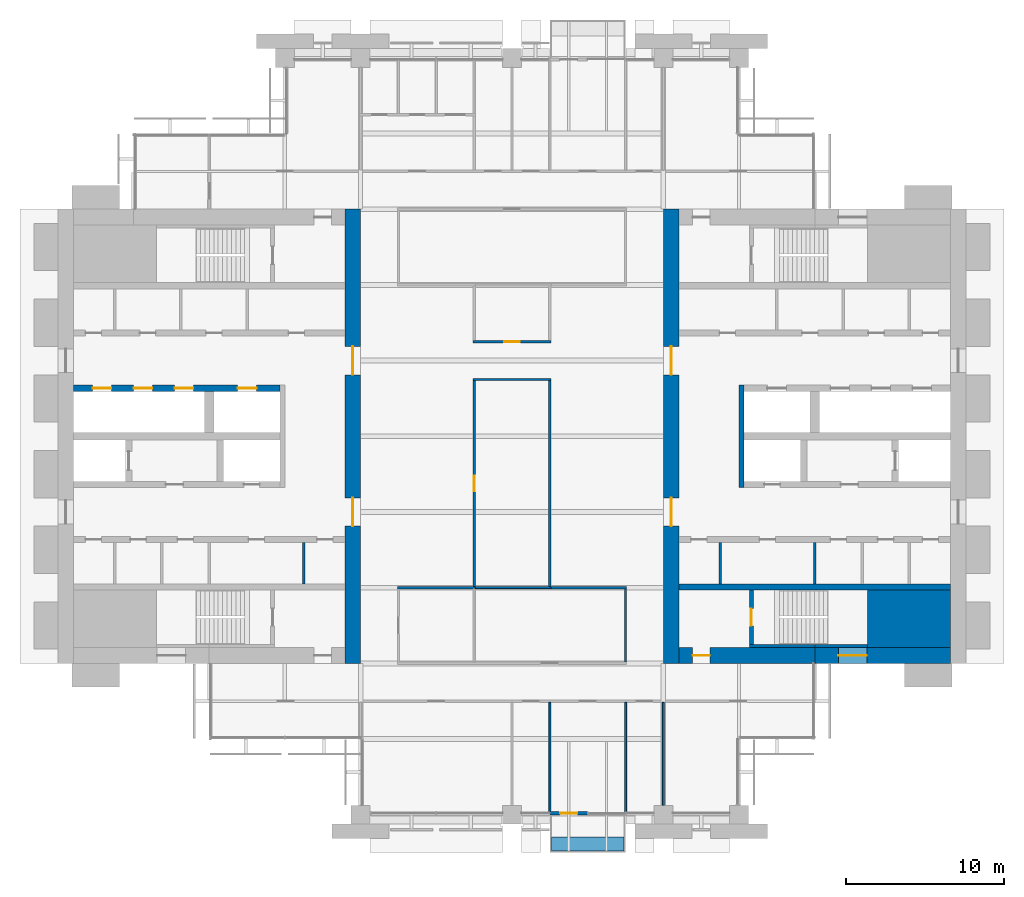
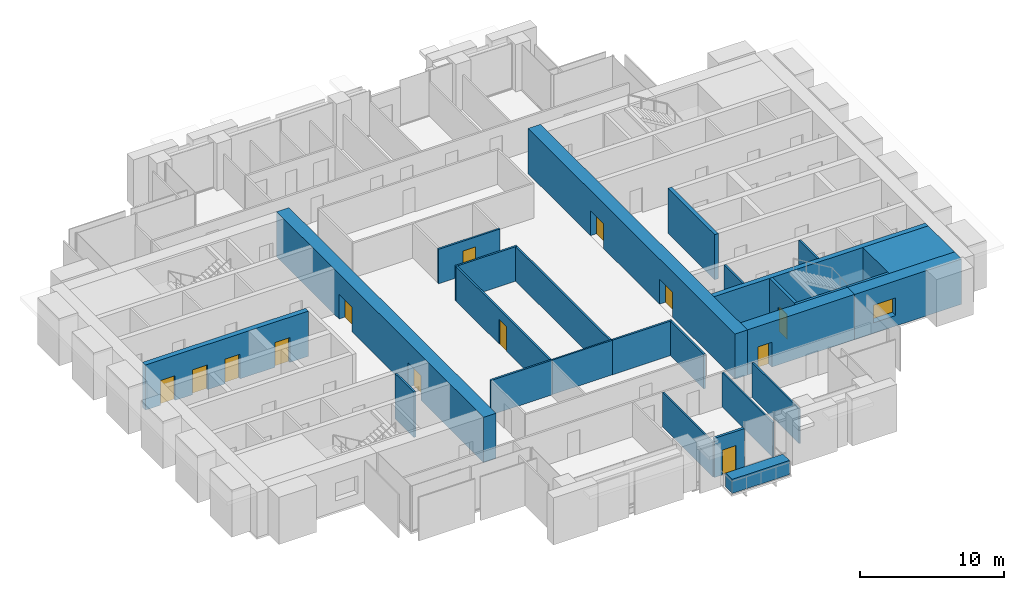
# One storey, part 10 of 15: 27 walls, 13 doors, 1 window, 14 openings.
"""IFC4 building model written with IfcOpenShell, lengths in metres."""

from ifc_helpers import new_model, si_unit, direction, frame, frame_2d, origin, place, context, subcontext, project, spatial, rectangle, extrude, material, layer, layer_set, type_object, element, fill, save


model = new_model("IFC4")

# Units and contexts
model_context = context("Model", 3, precision=1e-05, world=origin(), true_north=direction((0.0, 1.0)))
body_context = subcontext(model_context, "Body", "Model", "MODEL_VIEW")
ifc_project = project(units=[si_unit("LENGTHUNIT", "METRE"), si_unit("AREAUNIT", "SQUARE_METRE"), si_unit("VOLUMEUNIT", "CUBIC_METRE"), si_unit("PLANEANGLEUNIT", "RADIAN"), si_unit("MASSUNIT", "GRAM", prefix="KILO")], contexts=[model_context])

# Site, building, storey
site_placement = place(None, origin())
site = spatial("IfcSite", under=ifc_project, at=site_placement, CompositionType="ELEMENT")
building_placement = place(site_placement, origin())
building = spatial("IfcBuilding", under=site, at=building_placement, Name="Baori Bourse Tower", CompositionType="ELEMENT")
storey_placement = place(building_placement, frame((0.0, 0.0, 164.10009765625)))
storey = spatial("IfcBuildingStorey", under=building, at=storey_placement, Name="L36", CompositionType="ELEMENT", Elevation=164.10009765625)

# Walls
ifc_material_1 = material(Name="Concrete f'c 60 MPa", Category="concrete")
wall_type_1 = type_object("IfcWallType", Name="Core corner block f'c 60", PredefinedType="SHEAR", material=ifc_material_1)
wall_1_placement = place(storey_placement, frame((51.35009765625, 12.425048828125, 0.0), z_axis=(0.0, 0.0, 1.0), x_axis=(1.0, 0.0, 0.0)))
element("IfcWall", 1, at=wall_1_placement, inside=storey, type_object=wall_type_1, Name="Core wall E05", PredefinedType="SHEAR", context=body_context, shape_type="SweptSolid", body=[
    extrude(rectangle(XDim=5.25, YDim=3.64990234375, at=frame_2d((2.625, 0.0))), origin(), (0.0, 0.0, 1.0), 3.83984375),
])
ifc_material_2 = material(Name="Blockwork partition", Category="masonry")
ifc_layer_1 = layer(ifc_material_2, 0.14990234375)
ifc_layer_set_1 = layer_set([ifc_layer_1], Name="Core partition 150")
wall_type_2 = type_object("IfcWallType", Name="Core partition 150", PredefinedType="PARTITIONING", material=ifc_layer_set_1)
for number, where, z_axis, x_axis, name in (
    (2, (15.60009765625, 14.64990234375, 0.0), (0.0, 0.0, 1.0), (0.0, 1.0, 0.0), "Partition wall W13"),
    (3, (48.0, 14.64990234375, 0.0), (0.0, 0.0, 1.0), (0.0, 1.0, 0.0), "Partition wall E12"),
    (4, (42.0, 14.64990234375, 0.0), (0.0, 0.0, 1.0), (0.0, 1.0, 0.0), "Partition wall E13"),
):
    element("IfcWall", number, at=place(storey_placement, frame(where, z_axis=z_axis, x_axis=x_axis)), inside=storey, type_object=wall_type_2, Name=name, PredefinedType="PARTITIONING", context=body_context, shape_type="SweptSolid", body=[
        extrude(rectangle(XDim=2.60009765625, YDim=0.14990234375, at=frame_2d((1.300048828125, 0.0))), origin(), (0.0, 0.0, 1.0), 3.83984375),
    ])

# Wall, openings, doors
ifc_material_3 = material(Name="Concrete f'c 60 MPa", Category="concrete")
ifc_layer_2 = layer(ifc_material_3, 1.0)
ifc_layer_set_2 = layer_set([ifc_layer_2], Name="Core wall 1000 f'c 60")
wall_type_3 = type_object("IfcWallType", Name="Core wall 1000 f'c 60", PredefinedType="SHEAR", material=ifc_layer_set_2)
wall_2_placement = place(storey_placement, frame((18.699951171875, 38.39990234375, 0.0), z_axis=(0.0, 0.0, 1.0), x_axis=(0.0, -1.0, 0.0)))
wall_2 = element("IfcWall", 5, at=wall_2_placement, inside=storey, type_object=wall_type_3, Name="Core wall W04", PredefinedType="SHEAR", context=body_context, shape_type="SweptSolid", body=[
    extrude(rectangle(XDim=28.7998046875, YDim=1.0, at=frame_2d((14.39990234375, 0.0))), origin(), (0.0, 0.0, 1.0), 3.83984375),
])
opening_1_placement = place(wall_2_placement, frame((18.300048828125, 0.0, 0.0)))
opening_1 = element("IfcOpeningElement", 6, at=opening_1_placement, cuts=wall_2, Name="Opening L36-D107", PredefinedType="OPENING", context=body_context, shape_type="SweptSolid", body=[
    extrude(rectangle(XDim=1.800048828125, YDim=2.10009765625, at=frame_2d((0.89990234375, 1.050048828125))), frame((0.0, 0.510009765625, 0.0), z_axis=(0.0, -1.0, 0.0), x_axis=(1.0, 0.0, 0.0)), (0.0, 0.0, 1.0), 1.02001953125),
])
opening_2_placement = place(wall_2_placement, frame((8.699951171875, 0.0, 0.0)))
opening_2 = element("IfcOpeningElement", 7, at=opening_2_placement, cuts=wall_2, Name="Opening L36-D108", PredefinedType="OPENING", context=body_context, shape_type="SweptSolid", body=[
    extrude(rectangle(XDim=1.800048828125, YDim=2.10009765625, at=frame_2d((0.89990234375, 1.050048828125))), frame((0.0, 0.510009765625, 0.0), z_axis=(0.0, -1.0, 0.0), x_axis=(1.0, 0.0, 0.0)), (0.0, 0.0, 1.0), 1.02001953125),
])
ifc_material_4 = material(Name="Painted steel door", Category="steel")
door_type_1 = type_object("IfcDoorType", Name="Core lobby door 1800", OperationType="DOUBLE_DOOR_SINGLE_SWING", PredefinedType="DOOR", material=ifc_material_4)
door_1_placement = place(opening_1_placement, origin())
door_1 = element("IfcDoor", 8, at=door_1_placement, inside=storey, type_object=door_type_1, Name="Lobby door W L36", OperationType="DOUBLE_DOOR_SINGLE_SWING", OverallHeight=2.10009765625, OverallWidth=1.800048828125, PredefinedType="DOOR", context=body_context, shape_type="SweptSolid", body=[
    extrude(rectangle(XDim=1.800048828125, YDim=2.10009765625, at=frame_2d((0.89990234375, 1.050048828125))), frame((0.0, 0.02490234375, 0.0), z_axis=(0.0, -1.0, 0.0), x_axis=(1.0, 0.0, 0.0)), (0.0, 0.0, 1.0), 0.050048828125),
])
fill(opening_1, door_1)
door_2_placement = place(opening_2_placement, origin())
door_2 = element("IfcDoor", 9, at=door_2_placement, inside=storey, type_object=door_type_1, Name="Lobby door W L36", OperationType="DOUBLE_DOOR_SINGLE_SWING", OverallHeight=2.10009765625, OverallWidth=1.800048828125, PredefinedType="DOOR", context=body_context, shape_type="SweptSolid", body=[
    extrude(rectangle(XDim=1.800048828125, YDim=2.10009765625, at=frame_2d((0.89990234375, 1.050048828125))), frame((0.0, 0.02490234375, 0.0), z_axis=(0.0, -1.0, 0.0), x_axis=(1.0, 0.0, 0.0)), (0.0, 0.0, 1.0), 0.050048828125),
])
fill(opening_2, door_2)

# Wall, opening, window
wall_3_placement = place(storey_placement, frame((56.60009765625, 10.10009765625, 0.0), z_axis=(0.0, 0.0, 1.0), x_axis=(-1.0, 0.0, 0.0)))
wall_3 = element("IfcWall", 10, at=wall_3_placement, inside=storey, type_object=wall_type_3, Name="Core wall E02", PredefinedType="SHEAR", context=body_context, shape_type="SweptSolid", body=[
    extrude(rectangle(XDim=8.60009765625, YDim=1.0, at=frame_2d((4.300048828125, 0.0))), origin(), (0.0, 0.0, 1.0), 3.83984375),
])
opening_3_placement = place(wall_3_placement, frame((5.300048828125, 0.0, 0.89990234375)))
opening_3 = element("IfcOpeningElement", 11, at=opening_3_placement, cuts=wall_3, Name="Opening L36-KW203", PredefinedType="OPENING", context=body_context, shape_type="SweptSolid", body=[
    extrude(rectangle(XDim=1.800048828125, YDim=1.5, at=frame_2d((0.89990234375, 0.75))), frame((0.0, 0.510009765625, 0.0), z_axis=(0.0, -1.0, 0.0), x_axis=(1.0, 0.0, 0.0)), (0.0, 0.0, 1.0), 1.02001953125),
])
ifc_material_5 = material(Name="Pale anodised aluminium", Category="aluminium")
window_type = type_object("IfcWindowType", Name="Stair window 1800 x 1500", PartitioningType="SINGLE_PANEL", PredefinedType="WINDOW", material=ifc_material_5)
window_placement = place(opening_3_placement, origin())
window = element("IfcWindow", 12, at=window_placement, inside=storey, type_object=window_type, Name="Stair window E L36 3", OverallHeight=1.5, OverallWidth=1.800048828125, PartitioningType="SINGLE_PANEL", PredefinedType="WINDOW", context=body_context, shape_type="SweptSolid", body=[
    extrude(rectangle(XDim=1.800048828125, YDim=1.5, at=frame_2d((0.89990234375, 0.75))), frame((0.0, 0.030029296875, 0.0), z_axis=(0.0, -1.0, 0.0), x_axis=(1.0, 0.0, 0.0)), (0.0, 0.0, 1.0), 0.06005859375),
])
fill(opening_3, window)

# Wall, opening, door
wall_4_placement = place(storey_placement, frame((48.0, 10.10009765625, 0.0), z_axis=(0.0, 0.0, 1.0), x_axis=(-1.0, 0.0, 0.0)))
wall_4 = element("IfcWall", 13, at=wall_4_placement, inside=storey, type_object=wall_type_3, Name="Core wall E03", PredefinedType="SHEAR", context=body_context, shape_type="SweptSolid", body=[
    extrude(rectangle(XDim=8.60009765625, YDim=1.0, at=frame_2d((4.300048828125, 0.0))), origin(), (0.0, 0.0, 1.0), 3.83984375),
])
opening_4_placement = place(wall_4_placement, frame((6.64990234375, 0.0, 0.0)))
opening_4 = element("IfcOpeningElement", 14, at=opening_4_placement, cuts=wall_4, Name="Opening L36-D202", PredefinedType="OPENING", context=body_context, shape_type="SweptSolid", body=[
    extrude(rectangle(XDim=1.10009765625, YDim=2.10009765625, at=frame_2d((0.550048828125, 1.050048828125))), frame((0.0, 0.510009765625, 0.0), z_axis=(0.0, -1.0, 0.0), x_axis=(1.0, 0.0, 0.0)), (0.0, 0.0, 1.0), 1.02001953125),
])
ifc_material_6 = material(Name="Painted steel door", Category="steel")
door_type_2 = type_object("IfcDoorType", Name="Stair door 1100", OperationType="SINGLE_SWING_LEFT", PredefinedType="DOOR", material=ifc_material_6)
door_3_placement = place(opening_4_placement, origin())
door_3 = element("IfcDoor", 15, at=door_3_placement, inside=storey, type_object=door_type_2, Name="Stair vestibule door A E L36", OperationType="SINGLE_SWING_LEFT", OverallHeight=2.10009765625, OverallWidth=1.10009765625, PredefinedType="DOOR", context=body_context, shape_type="SweptSolid", body=[
    extrude(rectangle(XDim=1.10009765625, YDim=2.10009765625, at=frame_2d((0.550048828125, 1.050048828125))), frame((0.0, 0.02490234375, 0.0), z_axis=(0.0, -1.0, 0.0), x_axis=(1.0, 0.0, 0.0)), (0.0, 0.0, 1.0), 0.050048828125),
])
fill(opening_4, door_3)

# Wall, openings, doors
wall_5_placement = place(storey_placement, frame((38.89990234375, 9.60009765625, 0.0), z_axis=(0.0, 0.0, 1.0), x_axis=(0.0, 1.0, 0.0)))
wall_5 = element("IfcWall", 16, at=wall_5_placement, inside=storey, type_object=wall_type_3, Name="Core wall E04", PredefinedType="SHEAR", context=body_context, shape_type="SweptSolid", body=[
    extrude(rectangle(XDim=28.7998046875, YDim=1.0, at=frame_2d((14.39990234375, 0.0))), origin(), (0.0, 0.0, 1.0), 3.83984375),
])
opening_5_placement = place(wall_5_placement, frame((8.699951171875, 0.0, 0.0)))
opening_5 = element("IfcOpeningElement", 17, at=opening_5_placement, cuts=wall_5, Name="Opening L36-D207", PredefinedType="OPENING", context=body_context, shape_type="SweptSolid", body=[
    extrude(rectangle(XDim=1.800048828125, YDim=2.10009765625, at=frame_2d((0.89990234375, 1.050048828125))), frame((0.0, 0.510009765625, 0.0), z_axis=(0.0, -1.0, 0.0), x_axis=(1.0, 0.0, 0.0)), (0.0, 0.0, 1.0), 1.02001953125),
])
opening_6_placement = place(wall_5_placement, frame((18.300048828125, 0.0, 0.0)))
opening_6 = element("IfcOpeningElement", 18, at=opening_6_placement, cuts=wall_5, Name="Opening L36-D208", PredefinedType="OPENING", context=body_context, shape_type="SweptSolid", body=[
    extrude(rectangle(XDim=1.800048828125, YDim=2.10009765625, at=frame_2d((0.89990234375, 1.050048828125))), frame((0.0, 0.510009765625, 0.0), z_axis=(0.0, -1.0, 0.0), x_axis=(1.0, 0.0, 0.0)), (0.0, 0.0, 1.0), 1.02001953125),
])
door_4_placement = place(opening_5_placement, origin())
door_4 = element("IfcDoor", 19, at=door_4_placement, inside=storey, type_object=door_type_1, Name="Lobby door E L36", OperationType="DOUBLE_DOOR_SINGLE_SWING", OverallHeight=2.10009765625, OverallWidth=1.800048828125, PredefinedType="DOOR", context=body_context, shape_type="SweptSolid", body=[
    extrude(rectangle(XDim=1.800048828125, YDim=2.10009765625, at=frame_2d((0.89990234375, 1.050048828125))), frame((0.0, 0.02490234375, 0.0), z_axis=(0.0, -1.0, 0.0), x_axis=(1.0, 0.0, 0.0)), (0.0, 0.0, 1.0), 0.050048828125),
])
fill(opening_5, door_4)
door_5_placement = place(opening_6_placement, origin())
door_5 = element("IfcDoor", 20, at=door_5_placement, inside=storey, type_object=door_type_1, Name="Lobby door E L36", OperationType="DOUBLE_DOOR_SINGLE_SWING", OverallHeight=2.10009765625, OverallWidth=1.800048828125, PredefinedType="DOOR", context=body_context, shape_type="SweptSolid", body=[
    extrude(rectangle(XDim=1.800048828125, YDim=2.10009765625, at=frame_2d((0.89990234375, 1.050048828125))), frame((0.0, 0.02490234375, 0.0), z_axis=(0.0, -1.0, 0.0), x_axis=(1.0, 0.0, 0.0)), (0.0, 0.0, 1.0), 0.050048828125),
])
fill(opening_6, door_5)

# Walls
ifc_material_7 = material(Name="Gypsum board partition")
ifc_layer_3 = layer(ifc_material_7, 0.14990234375)
ifc_layer_set_3 = layer_set([ifc_layer_3], Name="Corridor partition 150")
wall_type_4 = type_object("IfcWallType", Name="Corridor partition 150", PredefinedType="PARTITIONING", material=ifc_layer_set_3)
wall_6_placement = place(storey_placement, frame((21.52490234375, 14.39990234375, 0.0), z_axis=(0.0, 0.0, 1.0), x_axis=(1.0, 0.0, 0.0)))
element("IfcWall", 21, at=wall_6_placement, inside=storey, type_object=wall_type_4, Name="Partition", PredefinedType="PARTITIONING", context=body_context, shape_type="SweptSolid", body=[
    extrude(rectangle(XDim=4.9501953125, YDim=0.14990234375, at=frame_2d((2.47509765625, 0.0))), origin(), (0.0, 0.0, 1.0), 2.935546875),
])
wall_7_placement = place(storey_placement, frame((31.27490234375, 14.39990234375, 0.0), z_axis=(0.0, 0.0, 1.0), x_axis=(1.0, 0.0, 0.0)))
element("IfcWall", 22, at=wall_7_placement, inside=storey, type_object=wall_type_4, Name="Partition", PredefinedType="PARTITIONING", context=body_context, shape_type="SweptSolid", body=[
    extrude(rectangle(XDim=4.800048828125, YDim=0.14990234375, at=frame_2d((2.39990234375, 0.0))), origin(), (0.0, 0.0, 1.0), 2.935546875),
])
wall_8_placement = place(storey_placement, frame((26.324951171875, 27.60009765625, 0.0), z_axis=(0.0, 0.0, 1.0), x_axis=(1.0, 0.0, 0.0)))
element("IfcWall", 23, at=wall_8_placement, inside=storey, type_object=wall_type_4, Name="Partition", PredefinedType="PARTITIONING", context=body_context, shape_type="SweptSolid", body=[
    extrude(rectangle(XDim=4.949951171875, YDim=0.14990234375, at=frame_2d((2.47509765625, 0.0))), origin(), (0.0, 0.0, 1.0), 2.935546875),
])

# Wall, opening, door
wall_9_placement = place(storey_placement, frame((26.324951171875, 30.0, 0.0), z_axis=(0.0, 0.0, 1.0), x_axis=(1.0, 0.0, 0.0)))
wall_9 = element("IfcWall", 24, at=wall_9_placement, inside=storey, type_object=wall_type_4, Name="Partition", PredefinedType="PARTITIONING", context=body_context, shape_type="SweptSolid", body=[
    extrude(rectangle(XDim=4.949951171875, YDim=0.14990234375, at=frame_2d((2.47509765625, 0.0))), origin(), (0.0, 0.0, 1.0), 2.935546875),
])
opening_7_placement = place(wall_9_placement, frame((1.97509765625, 0.0, 0.0)))
opening_7 = element("IfcOpeningElement", 25, at=opening_7_placement, cuts=wall_9, Name="Opening L36-D08", PredefinedType="OPENING", context=body_context, shape_type="SweptSolid", body=[
    extrude(rectangle(XDim=1.0, YDim=2.10009765625, at=frame_2d((0.5, 1.050048828125))), frame((0.0, 0.0849609375, 0.0), z_axis=(0.0, -1.0, 0.0), x_axis=(1.0, 0.0, 0.0)), (0.0, 0.0, 1.0), 0.169921875),
])
ifc_material_8 = material(Name="Timber door leaf", Category="wood")
door_type_3 = type_object("IfcDoorType", Name="Door 1000 x 2100", OperationType="SINGLE_SWING_LEFT", PredefinedType="DOOR", material=ifc_material_8)
door_6_placement = place(opening_7_placement, origin())
door_6 = element("IfcDoor", 26, at=door_6_placement, inside=storey, type_object=door_type_3, Name="Door", OperationType="SINGLE_SWING_LEFT", OverallHeight=2.10009765625, OverallWidth=1.0, PredefinedType="DOOR", context=body_context, shape_type="SweptSolid", body=[
    extrude(rectangle(XDim=1.0, YDim=2.10009765625, at=frame_2d((0.5, 1.050048828125))), frame((0.0, 0.02490234375, 0.0), z_axis=(0.0, -1.0, 0.0), x_axis=(1.0, 0.0, 0.0)), (0.0, 0.0, 1.0), 0.050048828125),
])
fill(opening_7, door_6)

wall_10_placement = place(storey_placement, frame((26.39990234375, 14.47509765625, 0.0), z_axis=(0.0, 0.0, 1.0), x_axis=(0.0, 1.0, 0.0)))
wall_10 = element("IfcWall", 27, at=wall_10_placement, inside=storey, type_object=wall_type_4, Name="Partition", PredefinedType="PARTITIONING", context=body_context, shape_type="SweptSolid", body=[
    extrude(rectangle(XDim=13.0498046875, YDim=0.14990234375, at=frame_2d((6.52490234375, 0.0))), origin(), (0.0, 0.0, 1.0), 2.935546875),
])
opening_8_placement = place(wall_10_placement, frame((6.02490234375, 0.0, 0.0)))
opening_8 = element("IfcOpeningElement", 28, at=opening_8_placement, cuts=wall_10, Name="Opening L36-D22", PredefinedType="OPENING", context=body_context, shape_type="SweptSolid", body=[
    extrude(rectangle(XDim=1.0, YDim=2.10009765625, at=frame_2d((0.5, 1.050048828125))), frame((0.0, 0.0849609375, 0.0), z_axis=(0.0, -1.0, 0.0), x_axis=(1.0, 0.0, 0.0)), (0.0, 0.0, 1.0), 0.169921875),
])
door_7_placement = place(opening_8_placement, origin())
door_7 = element("IfcDoor", 29, at=door_7_placement, inside=storey, type_object=door_type_3, Name="Door", OperationType="SINGLE_SWING_RIGHT", OverallHeight=2.10009765625, OverallWidth=1.0, PredefinedType="DOOR", context=body_context, shape_type="SweptSolid", body=[
    extrude(rectangle(XDim=1.0, YDim=2.10009765625, at=frame_2d((0.5, 1.050048828125))), frame((0.0, 0.02490234375, 0.0), z_axis=(0.0, -1.0, 0.0), x_axis=(1.0, 0.0, 0.0)), (0.0, 0.0, 1.0), 0.050048828125),
])
fill(opening_8, door_7)

# Walls
wall_11_placement = place(storey_placement, frame((31.199951171875, 14.47509765625, 0.0), z_axis=(0.0, 0.0, 1.0), x_axis=(0.0, 1.0, 0.0)))
element("IfcWall", 30, at=wall_11_placement, inside=storey, type_object=wall_type_4, Name="Partition", PredefinedType="PARTITIONING", context=body_context, shape_type="SweptSolid", body=[
    extrude(rectangle(XDim=13.0498046875, YDim=0.14990234375, at=frame_2d((6.52490234375, 0.0))), origin(), (0.0, 0.0, 1.0), 2.935546875),
])
wall_12_placement = place(storey_placement, frame((36.0, 9.675048828125, 0.0), z_axis=(0.0, 0.0, 1.0), x_axis=(0.0, 1.0, 0.0)))
element("IfcWall", 31, at=wall_12_placement, inside=storey, type_object=wall_type_4, Name="Partition", PredefinedType="PARTITIONING", context=body_context, shape_type="SweptSolid", body=[
    extrude(rectangle(XDim=4.64990234375, YDim=0.14990234375, at=frame_2d((2.324951171875, 0.0))), origin(), (0.0, 0.0, 1.0), 2.935546875),
])

# Wall, opening, door
ifc_material_9 = material(Name="Pale anodised aluminium", Category="aluminium")
ifc_layer_4 = layer(ifc_material_9, 0.199951171875)
ifc_layer_set_4 = layer_set([ifc_layer_4], Name="EW1 External wall bay")
wall_type_5 = type_object("IfcWallType", Name="EW1 External wall bay", PredefinedType="SOLIDWALL", material=ifc_layer_set_4)
wall_13_placement = place(storey_placement, frame((31.199951171875, 0.10009765625, 0.0), z_axis=(0.0, 0.0, 1.0), x_axis=(1.0, 0.0, 0.0)))
wall_13 = element("IfcWall", 32, at=wall_13_placement, inside=storey, type_object=wall_type_5, Name="External wall bay L36 2", PredefinedType="SOLIDWALL", context=body_context, shape_type="SweptSolid", body=[
    extrude(rectangle(XDim=2.400146484375, YDim=0.199951171875, at=frame_2d((1.2001953125, 0.0))), origin(), (0.0, 0.0, 1.0), 3.314208984375),
])
opening_9_placement = place(wall_13_placement, frame((0.64990234375, 0.0, 0.0)))
opening_9 = element("IfcOpeningElement", 33, at=opening_9_placement, cuts=wall_13, Name="Opening L36-D92", PredefinedType="OPENING", context=body_context, shape_type="SweptSolid", body=[
    extrude(rectangle(XDim=1.10009765625, YDim=2.10009765625, at=frame_2d((0.550048828125, 1.050048828125))), frame((0.0, 0.10986328125, 0.0), z_axis=(0.0, -1.0, 0.0), x_axis=(1.0, 0.0, 0.0)), (0.0, 0.0, 1.0), 0.219970703125),
])
ifc_material_10 = material(Name="Pale anodised aluminium", Category="aluminium")
door_type_4 = type_object("IfcDoorType", Name="BL1 Balcony door", OperationType="SINGLE_SWING_LEFT", PredefinedType="DOOR", material=ifc_material_10)
door_8_placement = place(opening_9_placement, origin())
door_8 = element("IfcDoor", 34, at=door_8_placement, inside=storey, type_object=door_type_4, Name="Balcony door L36 2", OperationType="SINGLE_SWING_LEFT", OverallHeight=2.10009765625, OverallWidth=1.10009765625, PredefinedType="DOOR", context=body_context, shape_type="SweptSolid", body=[
    extrude(rectangle(XDim=1.10009765625, YDim=2.10009765625, at=frame_2d((0.550048828125, 1.050048828125))), frame((0.0, 0.02490234375, 0.0), z_axis=(0.0, -1.0, 0.0), x_axis=(1.0, 0.0, 0.0)), (0.0, 0.0, 1.0), 0.050048828125),
])
fill(opening_9, door_8)

# Walls
ifc_material_11 = material(Name="Concrete f'c 40 MPa", Category="concrete")
ifc_layer_5 = layer(ifc_material_11, 0.89990234375)
ifc_layer_set_5 = layer_set([ifc_layer_5], Name="PW1 Planter wall")
wall_type_6 = type_object("IfcWallType", Name="PW1 Planter wall", PredefinedType="USERDEFINED", material=ifc_layer_set_5)
wall_14_placement = place(storey_placement, frame((31.300048828125, -1.85009765625, 0.0), z_axis=(0.0, 0.0, 1.0), x_axis=(1.0, 0.0, 0.0)))
element("IfcWall", 35, at=wall_14_placement, inside=storey, type_object=wall_type_6, Name="Planter balcony S L36 1", ObjectType="PLANTER", PredefinedType="USERDEFINED", context=body_context, shape_type="SweptSolid", body=[
    extrude(rectangle(XDim=4.599853515625, YDim=0.89990234375, at=frame_2d((2.2998046875, 0.0))), origin(), (0.0, 0.0, 1.0), 1.199951171875),
])
ifc_material_12 = material(Name="Gypsum board partition")
ifc_layer_6 = layer(ifc_material_12, 0.125)
ifc_layer_set_6 = layer_set([ifc_layer_6], Name="Partition 125")
wall_type_7 = type_object("IfcWallType", Name="Partition 125", PredefinedType="PARTITIONING", material=ifc_layer_set_6)
wall_15_placement = place(storey_placement, frame((26.47509765625, 14.39990234375, 0.0), z_axis=(0.0, 0.0, 1.0), x_axis=(1.0, 0.0, 0.0)))
element("IfcWall", 36, at=wall_15_placement, inside=storey, type_object=wall_type_7, Name="Partition", PredefinedType="PARTITIONING", context=body_context, shape_type="SweptSolid", body=[
    extrude(rectangle(XDim=4.7998046875, YDim=0.125, at=frame_2d((2.39990234375, 0.0))), origin(), (0.0, 0.0, 1.0), 2.935546875),
])
for number, where, z_axis, x_axis, name in (
    (37, (31.199951171875, 0.10009765625, 0.0), (0.0, 0.0, 1.0), (0.0, 1.0, 0.0), "Partition"),
    (38, (36.0, 0.10009765625, 0.0), (0.0, 0.0, 1.0), (0.0, 1.0, 0.0), "Partition"),
):
    element("IfcWall", number, at=place(storey_placement, frame(where, z_axis=z_axis, x_axis=x_axis)), inside=storey, type_object=wall_type_7, Name=name, PredefinedType="PARTITIONING", context=body_context, shape_type="SweptSolid", body=[
        extrude(rectangle(XDim=7.02490234375, YDim=0.125, at=frame_2d((3.512451171875, 0.0))), origin(), (0.0, 0.0, 1.0), 2.935546875),
    ])
wall_16_placement = place(storey_placement, frame((38.39990234375, 0.60009765625, 0.0), z_axis=(0.0, 0.0, 1.0), x_axis=(0.0, 1.0, 0.0)))
element("IfcWall", 39, at=wall_16_placement, inside=storey, type_object=wall_type_7, Name="Partition", PredefinedType="PARTITIONING", context=body_context, shape_type="SweptSolid", body=[
    extrude(rectangle(XDim=6.52490234375, YDim=0.125, at=frame_2d((3.262451171875, 0.0))), origin(), (0.0, 0.0, 1.0), 2.935546875),
])
ifc_material_13 = material(Name="Concrete f'c 60 MPa", Category="concrete")
ifc_layer_7 = layer(ifc_material_13, 0.199951171875)
ifc_layer_set_7 = layer_set([ifc_layer_7], Name="Shaft wall 200 f'c 60")
wall_type_8 = type_object("IfcWallType", Name="Shaft wall 200 f'c 60", PredefinedType="SHEAR", material=ifc_layer_set_7)
wall_17_placement = place(storey_placement, frame((48.0, 10.699951171875, 0.0), z_axis=(0.0, 0.0, 1.0), x_axis=(1.0, 0.0, 0.0)))
element("IfcWall", 40, at=wall_17_placement, inside=storey, type_object=wall_type_8, Name="Core wall E06", PredefinedType="SHEAR", context=body_context, shape_type="SweptSolid", body=[
    extrude(rectangle(XDim=3.35009765625, YDim=0.199951171875, at=frame_2d((1.675048828125, 0.0))), origin(), (0.0, 0.0, 1.0), 3.83984375),
])
wall_18_placement = place(storey_placement, frame((43.85009765625, 10.699951171875, 0.0), z_axis=(0.0, 0.0, 1.0), x_axis=(1.0, 0.0, 0.0)))
element("IfcWall", 41, at=wall_18_placement, inside=storey, type_object=wall_type_8, Name="Core wall E07", PredefinedType="SHEAR", context=body_context, shape_type="SweptSolid", body=[
    extrude(rectangle(XDim=4.14990234375, YDim=0.199951171875, at=frame_2d((2.074951171875, 0.0))), origin(), (0.0, 0.0, 1.0), 3.83984375),
])

# Wall, opening, door
ifc_material_14 = material(Name="Concrete f'c 60 MPa", Category="concrete")
ifc_layer_8 = layer(ifc_material_14, 0.25)
ifc_layer_set_8 = layer_set([ifc_layer_8], Name="Shaft wall 250 f'c 60")
wall_type_9 = type_object("IfcWallType", Name="Shaft wall 250 f'c 60", PredefinedType="SHEAR", material=ifc_layer_set_8)
wall_19_placement = place(storey_placement, frame((43.97509765625, 10.800048828125, 0.0), z_axis=(0.0, 0.0, 1.0), x_axis=(0.0, 1.0, 0.0)))
wall_19 = element("IfcWall", 42, at=wall_19_placement, inside=storey, type_object=wall_type_9, Name="Core wall E08", PredefinedType="SHEAR", context=body_context, shape_type="SweptSolid", body=[
    extrude(rectangle(XDim=3.449951171875, YDim=0.25, at=frame_2d((1.72509765625, 0.0))), origin(), (0.0, 0.0, 1.0), 3.83984375),
])
opening_10_placement = place(wall_19_placement, frame((1.175048828125, 0.0, 0.0)))
opening_10 = element("IfcOpeningElement", 43, at=opening_10_placement, cuts=wall_19, Name="Opening L36-D201", PredefinedType="OPENING", context=body_context, shape_type="SweptSolid", body=[
    extrude(rectangle(XDim=1.10009765625, YDim=2.10009765625, at=frame_2d((0.550048828125, 1.050048828125))), frame((0.0, 0.135009765625, 0.0), z_axis=(0.0, -1.0, 0.0), x_axis=(1.0, 0.0, 0.0)), (0.0, 0.0, 1.0), 0.27001953125),
])
door_9_placement = place(opening_10_placement, origin())
door_9 = element("IfcDoor", 44, at=door_9_placement, inside=storey, type_object=door_type_2, Name="Stair door A E L36", OperationType="SINGLE_SWING_LEFT", OverallHeight=2.10009765625, OverallWidth=1.10009765625, PredefinedType="DOOR", context=body_context, shape_type="SweptSolid", body=[
    extrude(rectangle(XDim=1.10009765625, YDim=2.10009765625, at=frame_2d((0.550048828125, 1.050048828125))), frame((0.0, 0.02490234375, 0.0), z_axis=(0.0, -1.0, 0.0), x_axis=(1.0, 0.0, 0.0)), (0.0, 0.0, 1.0), 0.050048828125),
])
fill(opening_10, door_9)

# Wall
ifc_material_15 = material(Name="Concrete f'c 60 MPa", Category="concrete")
ifc_layer_9 = layer(ifc_material_15, 0.300048828125)
ifc_layer_set_9 = layer_set([ifc_layer_9], Name="Shaft wall 300 f'c 60")
wall_type_10 = type_object("IfcWallType", Name="Shaft wall 300 f'c 60", PredefinedType="SHEAR", material=ifc_layer_set_9)
wall_20_placement = place(storey_placement, frame((43.35009765625, 20.75, 0.0), z_axis=(0.0, 0.0, 1.0), x_axis=(0.0, 1.0, 0.0)))
element("IfcWall", 45, at=wall_20_placement, inside=storey, type_object=wall_type_10, Name="Core wall E16", PredefinedType="SHEAR", context=body_context, shape_type="SweptSolid", body=[
    extrude(rectangle(XDim=6.5, YDim=0.300048828125, at=frame_2d((3.25, 0.0))), origin(), (0.0, 0.0, 1.0), 3.83984375),
])

# Wall, openings, doors
ifc_material_16 = material(Name="Concrete f'c 60 MPa", Category="concrete")
ifc_layer_10 = layer(ifc_material_16, 0.39990234375)
ifc_layer_set_10 = layer_set([ifc_layer_10], Name="Shaft wall 400 f'c 60")
wall_type_11 = type_object("IfcWallType", Name="Shaft wall 400 f'c 60", PredefinedType="SHEAR", material=ifc_layer_set_10)
wall_21_placement = place(storey_placement, frame((1.0, 27.050048828125, 0.0), z_axis=(0.0, 0.0, 1.0), x_axis=(1.0, 0.0, 0.0)))
wall_21 = element("IfcWall", 46, at=wall_21_placement, inside=storey, type_object=wall_type_11, Name="Core wall W21", PredefinedType="SHEAR", context=body_context, shape_type="SweptSolid", body=[
    extrude(rectangle(XDim=13.10009765625, YDim=0.39990234375, at=frame_2d((6.550048828125, 0.0))), origin(), (0.0, 0.0, 1.0), 3.83984375),
])
opening_11_placement = place(wall_21_placement, frame((1.199951171875, 0.0, 0.0)))
opening_11 = element("IfcOpeningElement", 47, at=opening_11_placement, cuts=wall_21, Name="Opening L36-D118", PredefinedType="OPENING", context=body_context, shape_type="SweptSolid", body=[
    extrude(rectangle(XDim=1.199951171875, YDim=2.10009765625, at=frame_2d((0.60009765625, 1.050048828125))), frame((0.0, 0.2099609375, 0.0), z_axis=(0.0, -1.0, 0.0), x_axis=(1.0, 0.0, 0.0)), (0.0, 0.0, 1.0), 0.419921875),
])
opening_12_placement = place(wall_21_placement, frame((3.800048828125, 0.0, 0.0)))
opening_12 = element("IfcOpeningElement", 48, at=opening_12_placement, cuts=wall_21, Name="Opening L36-D119", PredefinedType="OPENING", context=body_context, shape_type="SweptSolid", body=[
    extrude(rectangle(XDim=1.199951171875, YDim=2.10009765625, at=frame_2d((0.60009765625, 1.050048828125))), frame((0.0, 0.2099609375, 0.0), z_axis=(0.0, -1.0, 0.0), x_axis=(1.0, 0.0, 0.0)), (0.0, 0.0, 1.0), 0.419921875),
])
opening_13_placement = place(wall_21_placement, frame((6.39990234375, 0.0, 0.0)))
opening_13 = element("IfcOpeningElement", 49, at=opening_13_placement, cuts=wall_21, Name="Opening L36-D120", PredefinedType="OPENING", context=body_context, shape_type="SweptSolid", body=[
    extrude(rectangle(XDim=1.199951171875, YDim=2.10009765625, at=frame_2d((0.60009765625, 1.050048828125))), frame((0.0, 0.2099609375, 0.0), z_axis=(0.0, -1.0, 0.0), x_axis=(1.0, 0.0, 0.0)), (0.0, 0.0, 1.0), 0.419921875),
])
opening_14_placement = place(wall_21_placement, frame((10.39990234375, 0.0, 0.0)))
opening_14 = element("IfcOpeningElement", 50, at=opening_14_placement, cuts=wall_21, Name="Opening L36-D121", PredefinedType="OPENING", context=body_context, shape_type="SweptSolid", body=[
    extrude(rectangle(XDim=1.199951171875, YDim=2.10009765625, at=frame_2d((0.60009765625, 1.050048828125))), frame((0.0, 0.2099609375, 0.0), z_axis=(0.0, -1.0, 0.0), x_axis=(1.0, 0.0, 0.0)), (0.0, 0.0, 1.0), 0.419921875),
])
ifc_material_17 = material(Name="Stainless steel door", Category="steel")
door_type_5 = type_object("IfcDoorType", Name="Lift landing door", OperationType="DOUBLE_DOOR_SLIDING", PredefinedType="DOOR", material=ifc_material_17)
door_10_placement = place(opening_11_placement, origin())
door_10 = element("IfcDoor", 51, at=door_10_placement, inside=storey, type_object=door_type_5, Name="Lift landing door SH1 W L36", OperationType="DOUBLE_DOOR_SLIDING", OverallHeight=2.10009765625, OverallWidth=1.199951171875, PredefinedType="DOOR", context=body_context, shape_type="SweptSolid", body=[
    extrude(rectangle(XDim=1.199951171875, YDim=2.10009765625, at=frame_2d((0.60009765625, 1.050048828125))), frame((0.0, 0.02490234375, 0.0), z_axis=(0.0, -1.0, 0.0), x_axis=(1.0, 0.0, 0.0)), (0.0, 0.0, 1.0), 0.050048828125),
])
fill(opening_11, door_10)
door_11_placement = place(opening_12_placement, origin())
door_11 = element("IfcDoor", 52, at=door_11_placement, inside=storey, type_object=door_type_5, Name="Lift landing door SH2 W L36", OperationType="DOUBLE_DOOR_SLIDING", OverallHeight=2.10009765625, OverallWidth=1.199951171875, PredefinedType="DOOR", context=body_context, shape_type="SweptSolid", body=[
    extrude(rectangle(XDim=1.199951171875, YDim=2.10009765625, at=frame_2d((0.60009765625, 1.050048828125))), frame((0.0, 0.02490234375, 0.0), z_axis=(0.0, -1.0, 0.0), x_axis=(1.0, 0.0, 0.0)), (0.0, 0.0, 1.0), 0.050048828125),
])
fill(opening_12, door_11)
door_12_placement = place(opening_13_placement, origin())
door_12 = element("IfcDoor", 53, at=door_12_placement, inside=storey, type_object=door_type_5, Name="Lift landing door SH3 W L36", OperationType="DOUBLE_DOOR_SLIDING", OverallHeight=2.10009765625, OverallWidth=1.199951171875, PredefinedType="DOOR", context=body_context, shape_type="SweptSolid", body=[
    extrude(rectangle(XDim=1.199951171875, YDim=2.10009765625, at=frame_2d((0.60009765625, 1.050048828125))), frame((0.0, 0.02490234375, 0.0), z_axis=(0.0, -1.0, 0.0), x_axis=(1.0, 0.0, 0.0)), (0.0, 0.0, 1.0), 0.050048828125),
])
fill(opening_13, door_12)
door_13_placement = place(opening_14_placement, origin())
door_13 = element("IfcDoor", 54, at=door_13_placement, inside=storey, type_object=door_type_5, Name="Lift landing door SV1 W L36", OperationType="DOUBLE_DOOR_SLIDING", OverallHeight=2.10009765625, OverallWidth=1.199951171875, PredefinedType="DOOR", context=body_context, shape_type="SweptSolid", body=[
    extrude(rectangle(XDim=1.199951171875, YDim=2.10009765625, at=frame_2d((0.60009765625, 1.050048828125))), frame((0.0, 0.02490234375, 0.0), z_axis=(0.0, -1.0, 0.0), x_axis=(1.0, 0.0, 0.0)), (0.0, 0.0, 1.0), 0.050048828125),
])
fill(opening_14, door_13)

# Wall
wall_22_placement = place(storey_placement, frame((39.39990234375, 14.449951171875, 0.0), z_axis=(0.0, 0.0, 1.0), x_axis=(1.0, 0.0, 0.0)))
element("IfcWall", 55, at=wall_22_placement, inside=storey, type_object=wall_type_11, Name="Core wall E09", PredefinedType="SHEAR", context=body_context, shape_type="SweptSolid", body=[
    extrude(rectangle(XDim=17.2001953125, YDim=0.39990234375, at=frame_2d((8.60009765625, 0.0))), origin(), (0.0, 0.0, 1.0), 3.83984375),
])

save(model, "model.ifc")
